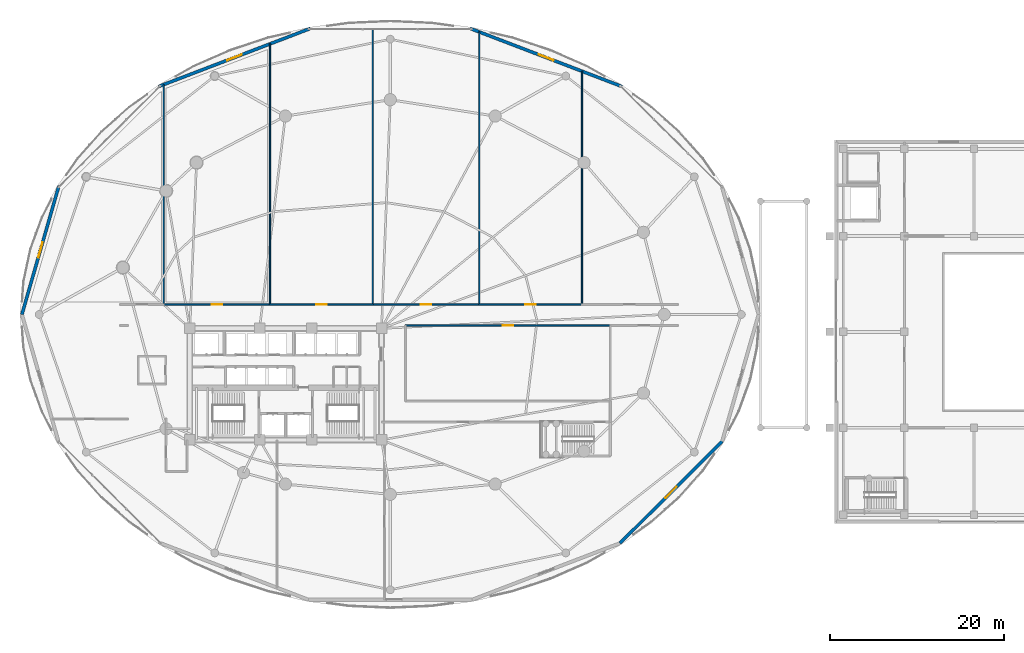
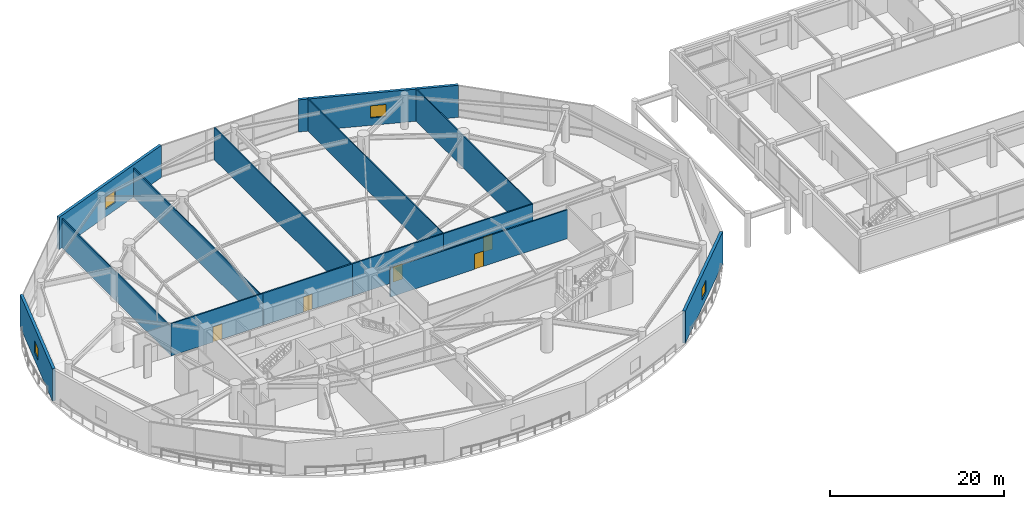
# One storey, part 29 of 40: 14 walls, 5 doors, 4 windows, 9 openings.
"""IFC4 building model written with IfcOpenShell, lengths in metres."""

from ifc_helpers import new_model, si_unit, direction, frame, frame_2d, origin, place, context, subcontext, project, spatial, rectangle, extrude, material, layer, layer_set, type_object, element, fill, save


model = new_model("IFC4")

# Units and contexts
model_context = context("Model", 3, precision=1e-05, world=origin(), true_north=direction((0.0, 1.0)))
body_context = subcontext(model_context, "Body", "Model", "MODEL_VIEW")
ifc_project = project(units=[si_unit("LENGTHUNIT", "METRE"), si_unit("AREAUNIT", "SQUARE_METRE"), si_unit("VOLUMEUNIT", "CUBIC_METRE"), si_unit("PLANEANGLEUNIT", "RADIAN"), si_unit("MASSUNIT", "GRAM", prefix="KILO")], contexts=[model_context])

# Site, building, storey
site_placement = place(None, origin())
site = spatial("IfcSite", under=ifc_project, at=site_placement, CompositionType="ELEMENT")
building_placement = place(site_placement, origin())
building = spatial("IfcBuilding", under=site, at=building_placement, Name="Kazevale Care Tower and Concert Hall", CompositionType="ELEMENT")
storey_placement = place(building_placement, frame((0.0, 0.0, 4.800048828125)))
storey = spatial("IfcBuildingStorey", under=building, at=storey_placement, Name="L01", CompositionType="ELEMENT", Elevation=4.800048828125)

# Walls
ifc_material_1 = material(Name="Acoustic Gypsum on Steel Stud", Category="steel")
ifc_layer_1 = layer(ifc_material_1, 0.139892578125)
ifc_layer_set_1 = layer_set([ifc_layer_1], Name="Acoustic Gypsum on Steel Stud")
wall_type_1 = type_object("IfcWallType", Name="Acoustic Care & Suite Partition 140", PredefinedType="PARTITIONING", material=ifc_layer_set_1)
wall_1_placement = place(storey_placement, frame((19.0, 64.382080078125, 0.0), z_axis=(0.0, 0.0, 1.0), x_axis=(0.0, -1.0, 0.0)))
element("IfcWall", 1, at=wall_1_placement, inside=storey, type_object=wall_type_1, Name="wall:L01:auto_017", PredefinedType="PARTITIONING", context=body_context, shape_type="SweptSolid", body=[
    extrude(rectangle(XDim=25.287109375, YDim=0.139892578125, at=frame_2d((12.6435546875, 0.0))), origin(), (0.0, 0.0, 1.0), 4.050048828125),
])
wall_2_placement = place(storey_placement, frame((31.199951171875, 69.048095703125, 0.0), z_axis=(0.0, 0.0, 1.0), x_axis=(0.0, -1.0, 0.0)))
element("IfcWall", 2, at=wall_2_placement, inside=storey, type_object=wall_type_1, Name="wall:L01:auto_018", PredefinedType="PARTITIONING", context=body_context, shape_type="SweptSolid", body=[
    extrude(rectangle(XDim=29.953125, YDim=0.139892578125, at=frame_2d((14.9765625, 0.0))), origin(), (0.0, 0.0, 1.0), 4.050048828125),
])
wall_3_placement = place(storey_placement, frame((43.0, 70.72802734375, 0.0), z_axis=(0.0, 0.0, 1.0), x_axis=(0.0, -1.0, 0.0)))
element("IfcWall", 3, at=wall_3_placement, inside=storey, type_object=wall_type_1, Name="wall:L01:auto_019", PredefinedType="PARTITIONING", context=body_context, shape_type="SweptSolid", body=[
    extrude(rectangle(XDim=31.633056640625, YDim=0.139892578125, at=frame_2d((15.81640625, 0.0))), origin(), (0.0, 0.0, 1.0), 4.52001953125),
])
wall_4_placement = place(storey_placement, frame((55.199951171875, 70.425048828125, 0.0), z_axis=(0.0, 0.0, 1.0), x_axis=(0.0, -1.0, 0.0)))
element("IfcWall", 4, at=wall_4_placement, inside=storey, type_object=wall_type_1, Name="wall:L01:auto_020", PredefinedType="PARTITIONING", context=body_context, shape_type="SweptSolid", body=[
    extrude(rectangle(XDim=31.330078125, YDim=0.139892578125, at=frame_2d((15.6650390625, 0.0))), origin(), (0.0, 0.0, 1.0), 4.52001953125),
])
wall_5_placement = place(storey_placement, frame((67.0, 65.911865234375, 0.0), z_axis=(0.0, 0.0, 1.0), x_axis=(0.0, -1.0, 0.0)))
element("IfcWall", 5, at=wall_5_placement, inside=storey, type_object=wall_type_1, Name="wall:L01:auto_021", PredefinedType="PARTITIONING", context=body_context, shape_type="SweptSolid", body=[
    extrude(rectangle(XDim=26.81689453125, YDim=0.139892578125, at=frame_2d((13.408447265625, 0.0))), origin(), (0.0, 0.0, 1.0), 4.52001953125),
])

# Wall, opening, door
ifc_material_2 = material(Name="Concrete C40 and Acoustic Gypsum", Category="concrete")
ifc_layer_2 = layer(ifc_material_2, 0.179931640625)
ifc_layer_set_2 = layer_set([ifc_layer_2], Name="Concrete C40 and Acoustic Gypsum")
wall_type_2 = type_object("IfcWallType", Name="Fire-Rated Corridor & Party Wall 180", PredefinedType="PARTITIONING", material=ifc_layer_set_2)
wall_6_placement = place(storey_placement, frame((18.93505859375, 39.125, 0.0), z_axis=(0.0, 0.0, 1.0), x_axis=(1.0, 0.0, 0.0)))
wall_6 = element("IfcWall", 6, at=wall_6_placement, inside=storey, type_object=wall_type_2, Name="wall:L01:auto_002", PredefinedType="PARTITIONING", context=body_context, shape_type="SweptSolid", body=[
    extrude(rectangle(XDim=12.329833984375, YDim=0.179931640625, at=frame_2d((6.1650390625, 0.0))), origin(), (0.0, 0.0, 1.0), 4.52001953125),
])
opening_1_placement = place(wall_6_placement, frame((5.56494140625, 0.0, 0.0)))
opening_1 = element("IfcOpeningElement", 7, at=opening_1_placement, cuts=wall_6, Name="Opening ID-1200", PredefinedType="OPENING", context=body_context, shape_type="SweptSolid", body=[
    extrude(rectangle(XDim=1.199951171875, YDim=2.14990234375, at=frame_2d((0.60009765625, 1.074951171875))), frame((0.0, 0.099853515625, 0.0), z_axis=(0.0, -1.0, 0.0), x_axis=(1.0, 0.0, 0.0)), (0.0, 0.0, 1.0), 0.199951171875),
])
ifc_material_3 = material(Name="Oak Timber Fire Leaf", Category="wood")
door_type = type_object("IfcDoorType", Name="Clinical & Therapy Door 1200x2150", OperationType="NOTDEFINED", PredefinedType="DOOR", material=ifc_material_3)
door_1_placement = place(opening_1_placement, origin())
door_1 = element("IfcDoor", 8, at=door_1_placement, inside=storey, type_object=door_type, Name="door:L01:ad_002", OperationType="SINGLE_SWING_LEFT", OverallHeight=2.14990234375, OverallWidth=1.199951171875, PredefinedType="DOOR", context=body_context, shape_type="SweptSolid", body=[
    extrude(rectangle(XDim=1.199951171875, YDim=2.14990234375, at=frame_2d((0.60009765625, 1.074951171875))), frame((0.0, 0.02490234375, 0.0), z_axis=(0.0, -1.0, 0.0), x_axis=(1.0, 0.0, 0.0)), (0.0, 0.0, 1.0), 0.050048828125),
])
fill(opening_1, door_1)

wall_7_placement = place(storey_placement, frame((31.135009765625, 39.125, 0.0), z_axis=(0.0, 0.0, 1.0), x_axis=(1.0, 0.0, 0.0)))
wall_7 = element("IfcWall", 9, at=wall_7_placement, inside=storey, type_object=wall_type_2, Name="wall:L01:auto_003", PredefinedType="PARTITIONING", context=body_context, shape_type="SweptSolid", body=[
    extrude(rectangle(XDim=11.929931640625, YDim=0.179931640625, at=frame_2d((5.96484375, 0.0))), origin(), (0.0, 0.0, 1.0), 4.52001953125),
])
opening_2_placement = place(wall_7_placement, frame((5.364990234375, 0.0, 0.0)))
opening_2 = element("IfcOpeningElement", 10, at=opening_2_placement, cuts=wall_7, Name="Opening ID-1200", PredefinedType="OPENING", context=body_context, shape_type="SweptSolid", body=[
    extrude(rectangle(XDim=1.199951171875, YDim=2.14990234375, at=frame_2d((0.60009765625, 1.074951171875))), frame((0.0, 0.099853515625, 0.0), z_axis=(0.0, -1.0, 0.0), x_axis=(1.0, 0.0, 0.0)), (0.0, 0.0, 1.0), 0.199951171875),
])
door_2_placement = place(opening_2_placement, origin())
door_2 = element("IfcDoor", 11, at=door_2_placement, inside=storey, type_object=door_type, Name="door:L01:ad_003", OperationType="SINGLE_SWING_LEFT", OverallHeight=2.14990234375, OverallWidth=1.199951171875, PredefinedType="DOOR", context=body_context, shape_type="SweptSolid", body=[
    extrude(rectangle(XDim=1.199951171875, YDim=2.14990234375, at=frame_2d((0.60009765625, 1.074951171875))), frame((0.0, 0.02490234375, 0.0), z_axis=(0.0, -1.0, 0.0), x_axis=(1.0, 0.0, 0.0)), (0.0, 0.0, 1.0), 0.050048828125),
])
fill(opening_2, door_2)

wall_8_placement = place(storey_placement, frame((42.93505859375, 39.125, 0.0), z_axis=(0.0, 0.0, 1.0), x_axis=(1.0, 0.0, 0.0)))
wall_8 = element("IfcWall", 12, at=wall_8_placement, inside=storey, type_object=wall_type_2, Name="wall:L01:auto_004", PredefinedType="PARTITIONING", context=body_context, shape_type="SweptSolid", body=[
    extrude(rectangle(XDim=12.329833984375, YDim=0.179931640625, at=frame_2d((6.1650390625, 0.0))), origin(), (0.0, 0.0, 1.0), 4.52001953125),
])
opening_3_placement = place(wall_8_placement, frame((5.56494140625, 0.0, 0.0)))
opening_3 = element("IfcOpeningElement", 13, at=opening_3_placement, cuts=wall_8, Name="Opening ID-1200", PredefinedType="OPENING", context=body_context, shape_type="SweptSolid", body=[
    extrude(rectangle(XDim=1.199951171875, YDim=2.14990234375, at=frame_2d((0.60009765625, 1.074951171875))), frame((0.0, 0.099853515625, 0.0), z_axis=(0.0, -1.0, 0.0), x_axis=(1.0, 0.0, 0.0)), (0.0, 0.0, 1.0), 0.199951171875),
])
door_3_placement = place(opening_3_placement, origin())
door_3 = element("IfcDoor", 14, at=door_3_placement, inside=storey, type_object=door_type, Name="door:L01:ad_004", OperationType="SINGLE_SWING_LEFT", OverallHeight=2.14990234375, OverallWidth=1.199951171875, PredefinedType="DOOR", context=body_context, shape_type="SweptSolid", body=[
    extrude(rectangle(XDim=1.199951171875, YDim=2.14990234375, at=frame_2d((0.60009765625, 1.074951171875))), frame((0.0, 0.02490234375, 0.0), z_axis=(0.0, -1.0, 0.0), x_axis=(1.0, 0.0, 0.0)), (0.0, 0.0, 1.0), 0.050048828125),
])
fill(opening_3, door_3)

wall_9_placement = place(storey_placement, frame((55.135009765625, 39.125, 0.0), z_axis=(0.0, 0.0, 1.0), x_axis=(1.0, 0.0, 0.0)))
wall_9 = element("IfcWall", 15, at=wall_9_placement, inside=storey, type_object=wall_type_2, Name="wall:L01:auto_005", PredefinedType="PARTITIONING", context=body_context, shape_type="SweptSolid", body=[
    extrude(rectangle(XDim=11.929931640625, YDim=0.179931640625, at=frame_2d((5.96484375, 0.0))), origin(), (0.0, 0.0, 1.0), 4.52001953125),
])
opening_4_placement = place(wall_9_placement, frame((5.364990234375, 0.0, 0.0)))
opening_4 = element("IfcOpeningElement", 16, at=opening_4_placement, cuts=wall_9, Name="Opening ID-1200", PredefinedType="OPENING", context=body_context, shape_type="SweptSolid", body=[
    extrude(rectangle(XDim=1.199951171875, YDim=2.14990234375, at=frame_2d((0.60009765625, 1.074951171875))), frame((0.0, 0.099853515625, 0.0), z_axis=(0.0, -1.0, 0.0), x_axis=(1.0, 0.0, 0.0)), (0.0, 0.0, 1.0), 0.199951171875),
])
door_4_placement = place(opening_4_placement, origin())
door_4 = element("IfcDoor", 17, at=door_4_placement, inside=storey, type_object=door_type, Name="door:L01:ad_005", OperationType="SINGLE_SWING_LEFT", OverallHeight=2.14990234375, OverallWidth=1.199951171875, PredefinedType="DOOR", context=body_context, shape_type="SweptSolid", body=[
    extrude(rectangle(XDim=1.199951171875, YDim=2.14990234375, at=frame_2d((0.60009765625, 1.074951171875))), frame((0.0, 0.02490234375, 0.0), z_axis=(0.0, -1.0, 0.0), x_axis=(1.0, 0.0, 0.0)), (0.0, 0.0, 1.0), 0.050048828125),
])
fill(opening_4, door_4)

wall_10_placement = place(storey_placement, frame((70.31494140625, 36.72509765625, 0.0), z_axis=(0.0, 0.0, 1.0), x_axis=(-1.0, 0.0, 0.0)))
wall_10 = element("IfcWall", 18, at=wall_10_placement, inside=storey, type_object=wall_type_2, Name="wall:L01:auto_008", PredefinedType="PARTITIONING", context=body_context, shape_type="SweptSolid", body=[
    extrude(rectangle(XDim=23.619873046875, YDim=0.179931640625, at=frame_2d((11.81005859375, 0.0))), origin(), (0.0, 0.0, 1.0), 4.050048828125),
])
opening_5_placement = place(wall_10_placement, frame((11.2099609375, 0.0, 0.0)))
opening_5 = element("IfcOpeningElement", 19, at=opening_5_placement, cuts=wall_10, Name="Opening ID-1200", PredefinedType="OPENING", context=body_context, shape_type="SweptSolid", body=[
    extrude(rectangle(XDim=1.199951171875, YDim=2.14990234375, at=frame_2d((0.60009765625, 1.074951171875))), frame((0.0, 0.099853515625, 0.0), z_axis=(0.0, -1.0, 0.0), x_axis=(1.0, 0.0, 0.0)), (0.0, 0.0, 1.0), 0.199951171875),
])
door_5_placement = place(opening_5_placement, origin())
door_5 = element("IfcDoor", 20, at=door_5_placement, inside=storey, type_object=door_type, Name="door:L01:ad_008", OperationType="SINGLE_SWING_LEFT", OverallHeight=2.14990234375, OverallWidth=1.199951171875, PredefinedType="DOOR", context=body_context, shape_type="SweptSolid", body=[
    extrude(rectangle(XDim=1.199951171875, YDim=2.14990234375, at=frame_2d((0.60009765625, 1.074951171875))), frame((0.0, 0.02490234375, 0.0), z_axis=(0.0, -1.0, 0.0), x_axis=(1.0, 0.0, 0.0)), (0.0, 0.0, 1.0), 0.050048828125),
])
fill(opening_5, door_5)

# Wall, opening, window
ifc_material_4 = material(Name="Concrete C40 with Honed Limestone Cladding", Category="masonry")
ifc_layer_3 = layer(ifc_material_4, 0.360107421875)
ifc_layer_set_3 = layer_set([ifc_layer_3], Name="Concrete C40 with Honed Limestone Cladding")
wall_type_3 = type_object("IfcWallType", Name="Podium Insulated Limestone Wall 360", PredefinedType="STANDARD", material=ifc_layer_set_3)
wall_11_placement = place(storey_placement, frame((71.60400390625, 64.160888671875, 0.0), z_axis=(0.0, 0.0, 1.0), x_axis=(-0.934010262022, 0.357246176238, 0.0)))
wall_11 = element("IfcWall", 21, at=wall_11_placement, inside=storey, type_object=wall_type_3, Name="wall:L01:podew:03", PredefinedType="STANDARD", context=body_context, shape_type="SweptSolid", body=[
    extrude(rectangle(XDim=18.671142578125, YDim=0.360107421875, at=frame_2d((9.33544921875, 0.0))), origin(), (0.0, 0.0, 1.0), 4.52001953125),
])
opening_6_placement = place(wall_11_placement, frame((8.43603515625, 0.0, 1.050048828125)))
opening_6 = element("IfcOpeningElement", 22, at=opening_6_placement, cuts=wall_11, Name="Opening WIN-2", PredefinedType="OPENING", context=body_context, shape_type="SweptSolid", body=[
    extrude(rectangle(XDim=1.800048828125, YDim=1.699951171875, at=frame_2d((0.89990234375, 0.85009765625))), frame((0.0, 0.18994140625, 0.0), z_axis=(0.0, -1.0, 0.0), x_axis=(1.0, 0.0, 0.0)), (0.0, 0.0, 1.0), 0.380126953125),
])
ifc_material_5 = material(Name="Low-E Laminated Glass", Category="glass")
window_type = type_object("IfcWindowType", Name="Clinical Punched Window 1800x1700", PartitioningType="DOUBLE_PANEL_VERTICAL", PredefinedType="WINDOW", material=ifc_material_5)
window_1_placement = place(opening_6_placement, origin())
window_1 = element("IfcWindow", 23, at=window_1_placement, inside=storey, type_object=window_type, Name="win:L01:pod:03", OverallHeight=1.699951171875, OverallWidth=1.800048828125, PartitioningType="SINGLE_PANEL", PredefinedType="WINDOW", context=body_context, shape_type="SweptSolid", body=[
    extrude(rectangle(XDim=1.800048828125, YDim=1.699951171875, at=frame_2d((0.89990234375, 0.85009765625))), frame((0.0, 0.030029296875, 0.0), z_axis=(0.0, -1.0, 0.0), x_axis=(1.0, 0.0, 0.0)), (0.0, 0.0, 1.0), 0.06005859375),
])
fill(opening_6, window_1)

wall_12_placement = place(storey_placement, frame((35.8349609375, 70.8310546875, 0.0), z_axis=(0.0, 0.0, 1.0), x_axis=(-0.934010262022, -0.357246176238, 0.0)))
wall_12 = element("IfcWall", 24, at=wall_12_placement, inside=storey, type_object=wall_type_3, Name="wall:L01:podew:05", PredefinedType="STANDARD", context=body_context, shape_type="SweptSolid", body=[
    extrude(rectangle(XDim=18.671142578125, YDim=0.360107421875, at=frame_2d((9.33544921875, 0.0))), origin(), (0.0, 0.0, 1.0), 4.52001953125),
])
opening_7_placement = place(wall_12_placement, frame((8.43603515625, 0.0, 1.050048828125)))
opening_7 = element("IfcOpeningElement", 25, at=opening_7_placement, cuts=wall_12, Name="Opening WIN-2", PredefinedType="OPENING", context=body_context, shape_type="SweptSolid", body=[
    extrude(rectangle(XDim=1.800048828125, YDim=1.699951171875, at=frame_2d((0.89990234375, 0.85009765625))), frame((0.0, 0.18994140625, 0.0), z_axis=(0.0, -1.0, 0.0), x_axis=(1.0, 0.0, 0.0)), (0.0, 0.0, 1.0), 0.380126953125),
])
window_2_placement = place(opening_7_placement, origin())
window_2 = element("IfcWindow", 26, at=window_2_placement, inside=storey, type_object=window_type, Name="win:L01:pod:05", OverallHeight=1.699951171875, OverallWidth=1.800048828125, PartitioningType="SINGLE_PANEL", PredefinedType="WINDOW", context=body_context, shape_type="SweptSolid", body=[
    extrude(rectangle(XDim=1.800048828125, YDim=1.699951171875, at=frame_2d((0.89990234375, 0.85009765625))), frame((0.0, 0.030029296875, 0.0), z_axis=(0.0, -1.0, 0.0), x_axis=(1.0, 0.0, 0.0)), (0.0, 0.0, 1.0), 0.06005859375),
])
fill(opening_7, window_2)

wall_13_placement = place(storey_placement, frame((6.97900390625, 52.820068359375, 0.0), z_axis=(0.0, 0.0, 1.0), x_axis=(-0.276203409751, -0.961099202186, 0.0)))
wall_13 = element("IfcWall", 27, at=wall_13_placement, inside=storey, type_object=wall_type_3, Name="wall:L01:podew:07", PredefinedType="STANDARD", context=body_context, shape_type="SweptSolid", body=[
    extrude(rectangle(XDim=15.419921875, YDim=0.360107421875, at=frame_2d((7.7099609375, 0.0))), origin(), (0.0, 0.0, 1.0), 4.52001953125),
])
opening_8_placement = place(wall_13_placement, frame((6.81005859375, 0.0, 1.050048828125)))
opening_8 = element("IfcOpeningElement", 28, at=opening_8_placement, cuts=wall_13, Name="Opening WIN-2", PredefinedType="OPENING", context=body_context, shape_type="SweptSolid", body=[
    extrude(rectangle(XDim=1.800048828125, YDim=1.699951171875, at=frame_2d((0.89990234375, 0.85009765625))), frame((0.0, 0.18994140625, 0.0), z_axis=(0.0, -1.0, 0.0), x_axis=(1.0, 0.0, 0.0)), (0.0, 0.0, 1.0), 0.380126953125),
])
window_3_placement = place(opening_8_placement, origin())
window_3 = element("IfcWindow", 29, at=window_3_placement, inside=storey, type_object=window_type, Name="win:L01:pod:07", OverallHeight=1.699951171875, OverallWidth=1.800048828125, PartitioningType="SINGLE_PANEL", PredefinedType="WINDOW", context=body_context, shape_type="SweptSolid", body=[
    extrude(rectangle(XDim=1.800048828125, YDim=1.699951171875, at=frame_2d((0.89990234375, 0.85009765625))), frame((0.0, 0.030029296875, 0.0), z_axis=(0.0, -1.0, 0.0), x_axis=(1.0, 0.0, 0.0)), (0.0, 0.0, 1.0), 0.06005859375),
])
fill(opening_8, window_3)

wall_14_placement = place(storey_placement, frame((71.361083984375, 11.74609375, 0.0), z_axis=(0.0, 0.0, 1.0), x_axis=(0.708557675059, 0.705652904135, 0.0)))
wall_14 = element("IfcWall", 30, at=wall_14_placement, inside=storey, type_object=wall_type_3, Name="wall:L01:podew:13", PredefinedType="STANDARD", context=body_context, shape_type="SweptSolid", body=[
    extrude(rectangle(XDim=16.557373046875, YDim=0.360107421875, at=frame_2d((8.27880859375, 0.0))), origin(), (0.0, 0.0, 1.0), 4.52001953125),
])
opening_9_placement = place(wall_14_placement, frame((7.37890625, 0.0, 1.050048828125)))
opening_9 = element("IfcOpeningElement", 31, at=opening_9_placement, cuts=wall_14, Name="Opening WIN-2", PredefinedType="OPENING", context=body_context, shape_type="SweptSolid", body=[
    extrude(rectangle(XDim=1.800048828125, YDim=1.699951171875, at=frame_2d((0.89990234375, 0.85009765625))), frame((0.0, 0.18994140625, 0.0), z_axis=(0.0, -1.0, 0.0), x_axis=(1.0, 0.0, 0.0)), (0.0, 0.0, 1.0), 0.380126953125),
])
window_4_placement = place(opening_9_placement, origin())
window_4 = element("IfcWindow", 32, at=window_4_placement, inside=storey, type_object=window_type, Name="win:L01:pod:13", OverallHeight=1.699951171875, OverallWidth=1.800048828125, PartitioningType="SINGLE_PANEL", PredefinedType="WINDOW", context=body_context, shape_type="SweptSolid", body=[
    extrude(rectangle(XDim=1.800048828125, YDim=1.699951171875, at=frame_2d((0.89990234375, 0.85009765625))), frame((0.0, 0.030029296875, 0.0), z_axis=(0.0, -1.0, 0.0), x_axis=(1.0, 0.0, 0.0)), (0.0, 0.0, 1.0), 0.06005859375),
])
fill(opening_9, window_4)

save(model, "model.ifc")
